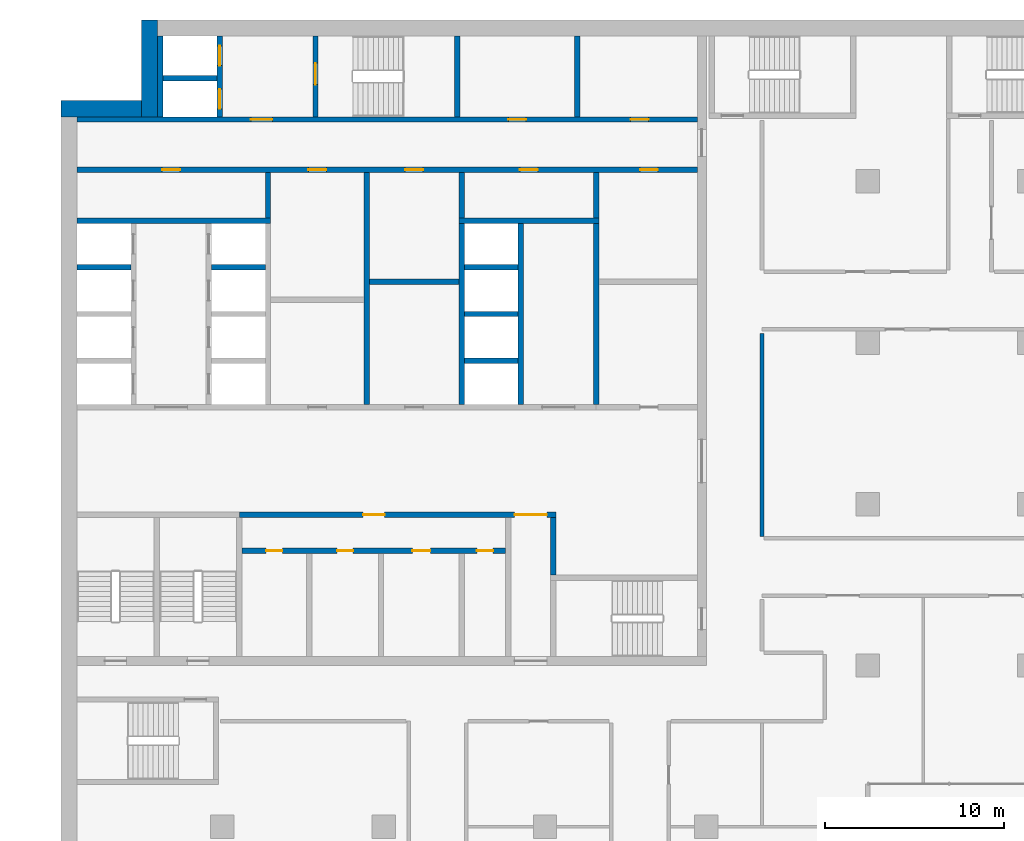
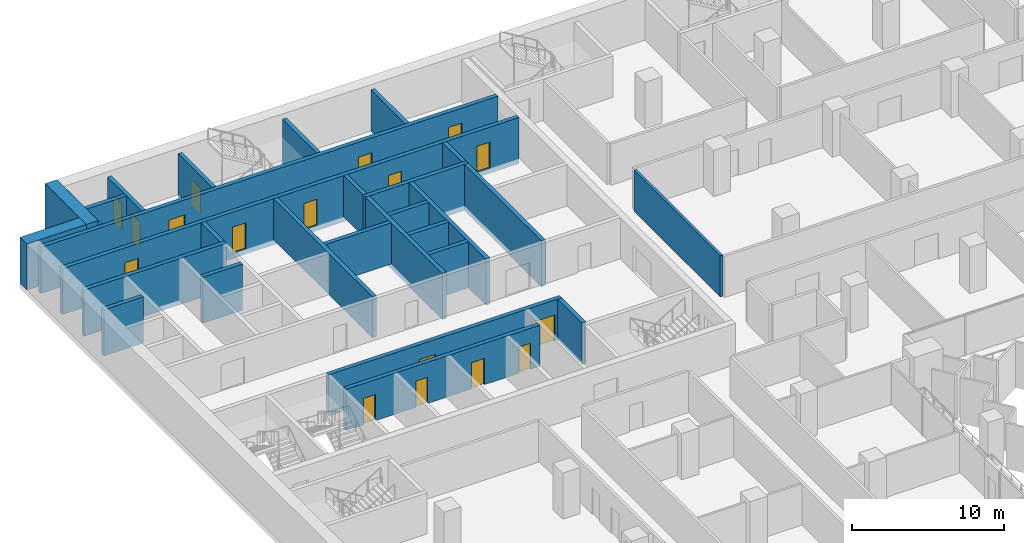
# One storey, part 13 of 22: 29 walls, 17 doors, 17 openings.
"""IFC4 building model written with IfcOpenShell, lengths in metres."""

from ifc_helpers import new_model, si_unit, direction, frame, frame_2d, origin, place, context, subcontext, project, spatial, rectangle, extrude, material, layer, layer_set, type_object, element, fill, save


model = new_model("IFC4")

# Units and contexts
model_context = context("Model", 3, precision=1e-05, world=origin(), true_north=direction((0.0, 1.0)))
body_context = subcontext(model_context, "Body", "Model", "MODEL_VIEW")
ifc_project = project(units=[si_unit("LENGTHUNIT", "METRE"), si_unit("AREAUNIT", "SQUARE_METRE"), si_unit("VOLUMEUNIT", "CUBIC_METRE"), si_unit("PLANEANGLEUNIT", "RADIAN"), si_unit("MASSUNIT", "GRAM", prefix="KILO")], contexts=[model_context])

# Site, building, storey
site_placement = place(None, origin())
site = spatial("IfcSite", under=ifc_project, at=site_placement, CompositionType="ELEMENT")
building_placement = place(site_placement, origin())
building = spatial("IfcBuilding", under=site, at=building_placement, Name="Hunhe Ridgeline Campus", CompositionType="ELEMENT")
storey_placement = place(building_placement, frame((0.0, 0.0, 92.199951171875)))
storey = spatial("IfcBuildingStorey", under=building, at=storey_placement, Name="L22", CompositionType="ELEMENT", Elevation=92.199951171875)

# Wall, openings, doors
ifc_material_1 = material(Name="Masonry concrete blockwork", Category="masonry")
ifc_layer_1 = layer(ifc_material_1, 0.300048828125)
ifc_layer_set_1 = layer_set([ifc_layer_1], Name="Core room partition 300 concrete block")
wall_type_1 = type_object("IfcWallType", Name="Core room partition 300 concrete block", PredefinedType="PARTITIONING", material=ifc_layer_set_1)
wall_1_placement = place(storey_placement, frame((10.10009765625, 69.39990234375, 0.0), z_axis=(0.0, 0.0, 1.0), x_axis=(1.0, 0.0, 0.0)))
wall_1 = element("IfcWall", 1, at=wall_1_placement, inside=storey, type_object=wall_type_1, Name="L22 core partition 9", PredefinedType="PARTITIONING", context=body_context, shape_type="SweptSolid", body=[
    extrude(rectangle(XDim=14.699951171875, YDim=0.300048828125, at=frame_2d((7.35009765625, 0.0))), origin(), (0.0, 0.0, 1.0), 3.300048828125),
])
opening_1_placement = place(wall_1_placement, frame((1.35009765625, 0.0, 0.0)))
opening_1 = element("IfcOpeningElement", 2, at=opening_1_placement, cuts=wall_1, Name="Opening CD8", PredefinedType="OPENING", context=body_context, shape_type="SweptSolid", body=[
    extrude(rectangle(XDim=0.89990234375, YDim=2.10009765625, at=frame_2d((0.449951171875, 1.050048828125))), frame((0.0, 0.14990234375, 0.0), z_axis=(0.0, -1.0, 0.0), x_axis=(1.0, 0.0, 0.0)), (0.0, 0.0, 1.0), 0.300048828125),
])
opening_2_placement = place(wall_1_placement, frame((5.300048828125, 0.0, 0.0)))
opening_2 = element("IfcOpeningElement", 3, at=opening_2_placement, cuts=wall_1, Name="Opening CD9", PredefinedType="OPENING", context=body_context, shape_type="SweptSolid", body=[
    extrude(rectangle(XDim=0.89990234375, YDim=2.10009765625, at=frame_2d((0.449951171875, 1.050048828125))), frame((0.0, 0.14990234375, 0.0), z_axis=(0.0, -1.0, 0.0), x_axis=(1.0, 0.0, 0.0)), (0.0, 0.0, 1.0), 0.300048828125),
])
opening_3_placement = place(wall_1_placement, frame((9.5, 0.0, 0.0)))
opening_3 = element("IfcOpeningElement", 4, at=opening_3_placement, cuts=wall_1, Name="Opening CD10", PredefinedType="OPENING", context=body_context, shape_type="SweptSolid", body=[
    extrude(rectangle(XDim=1.0, YDim=2.10009765625, at=frame_2d((0.5, 1.050048828125))), frame((0.0, 0.14990234375, 0.0), z_axis=(0.0, -1.0, 0.0), x_axis=(1.0, 0.0, 0.0)), (0.0, 0.0, 1.0), 0.300048828125),
])
opening_4_placement = place(wall_1_placement, frame((13.10009765625, 0.0, 0.0)))
opening_4 = element("IfcOpeningElement", 5, at=opening_4_placement, cuts=wall_1, Name="Opening CD11", PredefinedType="OPENING", context=body_context, shape_type="SweptSolid", body=[
    extrude(rectangle(XDim=0.89990234375, YDim=2.10009765625, at=frame_2d((0.449951171875, 1.050048828125))), frame((0.0, 0.14990234375, 0.0), z_axis=(0.0, -1.0, 0.0), x_axis=(1.0, 0.0, 0.0)), (0.0, 0.0, 1.0), 0.300048828125),
])
ifc_material_2 = material(Name="Solid core timber door leaf", Category="wood")
door_type_1 = type_object("IfcDoorType", Name="Timber door 1000x2100", OperationType="SINGLE_SWING_LEFT", PredefinedType="DOOR", material=ifc_material_2)
door_1_placement = place(opening_3_placement, frame((1.0, 0.0, 0.0), z_axis=(0.0, 0.0, 1.0), x_axis=(-1.0, 0.0, 0.0)))
door_1 = element("IfcDoor", 6, at=door_1_placement, inside=storey, type_object=door_type_1, Name="L22 door WC3", OperationType="SINGLE_SWING_RIGHT", OverallHeight=2.10009765625, OverallWidth=1.0, PredefinedType="DOOR", context=body_context, shape_type="SweptSolid", body=[
    extrude(rectangle(XDim=1.0, YDim=2.10009765625, at=frame_2d((0.5, 1.050048828125))), frame((0.0, 0.02490234375, 0.0), z_axis=(0.0, -1.0, 0.0), x_axis=(1.0, 0.0, 0.0)), (0.0, 0.0, 1.0), 0.050048828125),
])
fill(opening_3, door_1)
door_type_2 = type_object("IfcDoorType", Name="Timber door 900x2100", OperationType="SINGLE_SWING_LEFT", PredefinedType="DOOR", material=ifc_material_2)
door_2_placement = place(opening_1_placement, frame((0.89990234375, 0.0, 0.0), z_axis=(0.0, 0.0, 1.0), x_axis=(-1.0, 0.0, 0.0)))
door_2 = element("IfcDoor", 7, at=door_2_placement, inside=storey, type_object=door_type_2, Name="L22 door WC1", OperationType="SINGLE_SWING_RIGHT", OverallHeight=2.10009765625, OverallWidth=0.89990234375, PredefinedType="DOOR", context=body_context, shape_type="SweptSolid", body=[
    extrude(rectangle(XDim=0.89990234375, YDim=2.10009765625, at=frame_2d((0.449951171875, 1.050048828125))), frame((0.0, 0.02490234375, 0.0), z_axis=(0.0, -1.0, 0.0), x_axis=(1.0, 0.0, 0.0)), (0.0, 0.0, 1.0), 0.050048828125),
])
fill(opening_1, door_2)
door_3_placement = place(opening_2_placement, frame((0.89990234375, 0.0, 0.0), z_axis=(0.0, 0.0, 1.0), x_axis=(-1.0, 0.0, 0.0)))
door_3 = element("IfcDoor", 8, at=door_3_placement, inside=storey, type_object=door_type_2, Name="L22 door WC2", OperationType="SINGLE_SWING_LEFT", OverallHeight=2.10009765625, OverallWidth=0.89990234375, PredefinedType="DOOR", context=body_context, shape_type="SweptSolid", body=[
    extrude(rectangle(XDim=0.89990234375, YDim=2.10009765625, at=frame_2d((0.449951171875, 1.050048828125))), frame((0.0, 0.02490234375, 0.0), z_axis=(0.0, -1.0, 0.0), x_axis=(1.0, 0.0, 0.0)), (0.0, 0.0, 1.0), 0.050048828125),
])
fill(opening_2, door_3)
door_4_placement = place(opening_4_placement, frame((0.89990234375, 0.0, 0.0), z_axis=(0.0, 0.0, 1.0), x_axis=(-1.0, 0.0, 0.0)))
door_4 = element("IfcDoor", 9, at=door_4_placement, inside=storey, type_object=door_type_2, Name="L22 door WC4", OperationType="SINGLE_SWING_LEFT", OverallHeight=2.10009765625, OverallWidth=0.89990234375, PredefinedType="DOOR", context=body_context, shape_type="SweptSolid", body=[
    extrude(rectangle(XDim=0.89990234375, YDim=2.10009765625, at=frame_2d((0.449951171875, 1.050048828125))), frame((0.0, 0.02490234375, 0.0), z_axis=(0.0, -1.0, 0.0), x_axis=(1.0, 0.0, 0.0)), (0.0, 0.0, 1.0), 0.050048828125),
])
fill(opening_4, door_4)

wall_2_placement = place(storey_placement, frame((9.949951171875, 71.39990234375, 0.0), z_axis=(0.0, 0.0, 1.0), x_axis=(1.0, 0.0, 0.0)))
wall_2 = element("IfcWall", 10, at=wall_2_placement, inside=storey, type_object=wall_type_1, Name="L22 core partition 11", PredefinedType="PARTITIONING", context=body_context, shape_type="SweptSolid", body=[
    extrude(rectangle(XDim=17.650146484375, YDim=0.300048828125, at=frame_2d((8.8251953125, 0.0))), origin(), (0.0, 0.0, 1.0), 3.300048828125),
])
opening_5_placement = place(wall_2_placement, frame((15.35009765625, 0.0, 0.0)))
opening_5 = element("IfcOpeningElement", 11, at=opening_5_placement, cuts=wall_2, Name="Opening CD7", PredefinedType="OPENING", context=body_context, shape_type="SweptSolid", body=[
    extrude(rectangle(XDim=1.800048828125, YDim=2.10009765625, at=frame_2d((0.89990234375, 1.050048828125))), frame((0.0, 0.14990234375, 0.0), z_axis=(0.0, -1.0, 0.0), x_axis=(1.0, 0.0, 0.0)), (0.0, 0.0, 1.0), 0.300048828125),
])
opening_6_placement = place(wall_2_placement, frame((6.89990234375, 0.0, 0.0)))
opening_6 = element("IfcOpeningElement", 12, at=opening_6_placement, cuts=wall_2, Name="Opening CD37", PredefinedType="OPENING", context=body_context, shape_type="SweptSolid", body=[
    extrude(rectangle(XDim=1.199951171875, YDim=2.10009765625, at=frame_2d((0.60009765625, 1.050048828125))), frame((0.0, 0.14990234375, 0.0), z_axis=(0.0, -1.0, 0.0), x_axis=(1.0, 0.0, 0.0)), (0.0, 0.0, 1.0), 0.300048828125),
])
ifc_material_3 = material(Name="Anodised aluminium and glass", Category="aluminium")
door_type_3 = type_object("IfcDoorType", Name="Glazed double door 1800x2100", OperationType="DOUBLE_DOOR_SINGLE_SWING", PredefinedType="DOOR", material=ifc_material_3)
door_5_placement = place(opening_5_placement, origin())
door_5 = element("IfcDoor", 13, at=door_5_placement, inside=storey, type_object=door_type_3, Name="L22 door VEST-HALL", OperationType="DOUBLE_DOOR_SINGLE_SWING", OverallHeight=2.10009765625, OverallWidth=1.800048828125, PredefinedType="DOOR", context=body_context, shape_type="SweptSolid", body=[
    extrude(rectangle(XDim=1.800048828125, YDim=2.10009765625, at=frame_2d((0.89990234375, 1.050048828125))), frame((0.0, 0.02490234375, 0.0), z_axis=(0.0, -1.0, 0.0), x_axis=(1.0, 0.0, 0.0)), (0.0, 0.0, 1.0), 0.050048828125),
])
fill(opening_5, door_5)
door_type_4 = type_object("IfcDoorType", Name="Timber door 1200x2100", OperationType="SINGLE_SWING_LEFT", PredefinedType="DOOR", material=ifc_material_2)
door_6_placement = place(opening_6_placement, origin())
door_6 = element("IfcDoor", 14, at=door_6_placement, inside=storey, type_object=door_type_4, Name="L22 door WCL1-HALL", OperationType="SINGLE_SWING_LEFT", OverallHeight=2.10009765625, OverallWidth=1.199951171875, PredefinedType="DOOR", context=body_context, shape_type="SweptSolid", body=[
    extrude(rectangle(XDim=1.199951171875, YDim=2.10009765625, at=frame_2d((0.60009765625, 1.050048828125))), frame((0.0, 0.02490234375, 0.0), z_axis=(0.0, -1.0, 0.0), x_axis=(1.0, 0.0, 0.0)), (0.0, 0.0, 1.0), 0.050048828125),
])
fill(opening_6, door_6)

# Walls
wall_3_placement = place(storey_placement, frame((17.199951171875, 84.39990234375, 0.0), z_axis=(0.0, 0.0, 1.0), x_axis=(1.0, 0.0, 0.0)))
element("IfcWall", 15, at=wall_3_placement, inside=storey, type_object=wall_type_1, Name="L22 core partition 21", PredefinedType="PARTITIONING", context=body_context, shape_type="SweptSolid", body=[
    extrude(rectangle(XDim=5.0, YDim=0.300048828125, at=frame_2d((2.5, 0.0))), origin(), (0.0, 0.0, 1.0), 3.300048828125),
])
wall_4_placement = place(storey_placement, frame((11.550048828125, 87.949951171875, 0.0), z_axis=(0.0, 0.0, 1.0), x_axis=(0.0, 1.0, 0.0)))
element("IfcWall", 16, at=wall_4_placement, inside=storey, type_object=wall_type_1, Name="L22 core partition 43", PredefinedType="PARTITIONING", context=body_context, shape_type="SweptSolid", body=[
    extrude(rectangle(XDim=2.550048828125, YDim=0.300048828125, at=frame_2d((1.27490234375, 0.0))), origin(), (0.0, 0.0, 1.0), 3.300048828125),
])
wall_5_placement = place(storey_placement, frame((17.050048828125, 77.550048828125, 0.0), z_axis=(0.0, 0.0, 1.0), x_axis=(0.0, 1.0, 0.0)))
element("IfcWall", 17, at=wall_5_placement, inside=storey, type_object=wall_type_1, Name="L22 core partition 46", PredefinedType="PARTITIONING", context=body_context, shape_type="SweptSolid", body=[
    extrude(rectangle(XDim=12.949951171875, YDim=0.300048828125, at=frame_2d((6.47509765625, 0.0))), origin(), (0.0, 0.0, 1.0), 3.300048828125),
])
wall_6_placement = place(storey_placement, frame((22.35009765625, 87.949951171875, 0.0), z_axis=(0.0, 0.0, 1.0), x_axis=(0.0, 1.0, 0.0)))
element("IfcWall", 18, at=wall_6_placement, inside=storey, type_object=wall_type_1, Name="L22 core partition 52", PredefinedType="PARTITIONING", context=body_context, shape_type="SweptSolid", body=[
    extrude(rectangle(XDim=2.550048828125, YDim=0.300048828125, at=frame_2d((1.27490234375, 0.0))), origin(), (0.0, 0.0, 1.0), 3.300048828125),
])
wall_7_placement = place(storey_placement, frame((27.449951171875, 68.050048828125, 0.0), z_axis=(0.0, 0.0, 1.0), x_axis=(0.0, 1.0, 0.0)))
element("IfcWall", 19, at=wall_7_placement, inside=storey, type_object=wall_type_1, Name="L22 core partition 57", PredefinedType="PARTITIONING", context=body_context, shape_type="SweptSolid", body=[
    extrude(rectangle(XDim=3.199951171875, YDim=0.300048828125, at=frame_2d((1.60009765625, 0.0))), origin(), (0.0, 0.0, 1.0), 3.300048828125),
])
wall_8_placement = place(storey_placement, frame((28.800048828125, 93.60009765625, 0.0), z_axis=(0.0, 0.0, 1.0), x_axis=(0.0, 1.0, 0.0)))
element("IfcWall", 20, at=wall_8_placement, inside=storey, type_object=wall_type_1, Name="L22 core partition 58", PredefinedType="PARTITIONING", context=body_context, shape_type="SweptSolid", body=[
    extrude(rectangle(XDim=4.5, YDim=0.300048828125, at=frame_2d((2.25, 0.0))), origin(), (0.0, 0.0, 1.0), 3.300048828125),
])
wall_9_placement = place(storey_placement, frame((29.85009765625, 87.949951171875, 0.0), z_axis=(0.0, 0.0, 1.0), x_axis=(0.0, 1.0, 0.0)))
element("IfcWall", 21, at=wall_9_placement, inside=storey, type_object=wall_type_1, Name="L22 core partition 60", PredefinedType="PARTITIONING", context=body_context, shape_type="SweptSolid", body=[
    extrude(rectangle(XDim=2.550048828125, YDim=0.300048828125, at=frame_2d((1.27490234375, 0.0))), origin(), (0.0, 0.0, 1.0), 3.300048828125),
])
ifc_material_4 = material(Name="Gypsum board partition")
ifc_layer_2 = layer(ifc_material_4, 0.199951171875)
ifc_layer_set_2 = layer_set([ifc_layer_2], Name="Corridor partition 200 gypsum board on steel studs")
wall_type_2 = type_object("IfcWallType", Name="Corridor partition 200 gypsum board on steel studs", PredefinedType="PARTITIONING", material=ifc_layer_set_2)
wall_10_placement = place(storey_placement, frame((39.10009765625, 81.517578125, 0.0), z_axis=(0.0, 0.0, 1.0), x_axis=(0.0, -1.0, 0.0)))
element("IfcWall", 22, at=wall_10_placement, inside=storey, type_object=wall_type_2, Name="F-L22-wall-057", PredefinedType="PARTITIONING", context=body_context, shape_type="SweptSolid", body=[
    extrude(rectangle(XDim=11.317626953125, YDim=0.199951171875, at=frame_2d((5.65869140625, 0.0))), origin(), (0.0, 0.0, 1.0), 3.300048828125),
])

# Wall, openings, doors
ifc_material_5 = material(Name="Concrete C80", Category="concrete")
ifc_layer_3 = layer(ifc_material_5, 0.300048828125)
ifc_layer_set_3 = layer_set([ifc_layer_3], Name="Lobby wall 300 reinforced concrete C80")
wall_type_3 = type_object("IfcWallType", Name="Lobby wall 300 reinforced concrete C80", PredefinedType="SOLIDWALL", material=ifc_layer_set_3)
wall_11_placement = place(storey_placement, frame((0.89990234375, 90.64990234375, -0.39990234375), z_axis=(0.0, 0.0, 1.0), x_axis=(1.0, 0.0, 0.0)))
wall_11 = element("IfcWall", 23, at=wall_11_placement, inside=storey, type_object=wall_type_3, Name="L22 core wall 28", PredefinedType="SOLIDWALL", context=body_context, shape_type="SweptSolid", body=[
    extrude(rectangle(XDim=34.60009765625, YDim=0.300048828125, at=frame_2d((17.300048828125, 0.0))), origin(), (0.0, 0.0, 1.0), 3.699951171875),
])
opening_7_placement = place(wall_11_placement, frame((4.75, 0.0, 0.39990234375)))
opening_7 = element("IfcOpeningElement", 24, at=opening_7_placement, cuts=wall_11, Name="Opening CD26", PredefinedType="OPENING", context=body_context, shape_type="SweptSolid", body=[
    extrude(rectangle(XDim=1.0, YDim=2.10009765625, at=frame_2d((0.5, 1.050048828125))), frame((0.0, 0.14990234375, 0.0), z_axis=(0.0, -1.0, 0.0), x_axis=(1.0, 0.0, 0.0)), (0.0, 0.0, 1.0), 0.300048828125),
])
opening_8_placement = place(wall_11_placement, frame((24.699951171875, 0.0, 0.39990234375)))
opening_8 = element("IfcOpeningElement", 25, at=opening_8_placement, cuts=wall_11, Name="Opening CD27", PredefinedType="OPENING", context=body_context, shape_type="SweptSolid", body=[
    extrude(rectangle(XDim=1.0, YDim=2.10009765625, at=frame_2d((0.5, 1.050048828125))), frame((0.0, 0.14990234375, 0.0), z_axis=(0.0, -1.0, 0.0), x_axis=(1.0, 0.0, 0.0)), (0.0, 0.0, 1.0), 0.300048828125),
])
opening_9_placement = place(wall_11_placement, frame((12.89990234375, 0.0, 0.39990234375)))
opening_9 = element("IfcOpeningElement", 26, at=opening_9_placement, cuts=wall_11, Name="Opening CD29", PredefinedType="OPENING", context=body_context, shape_type="SweptSolid", body=[
    extrude(rectangle(XDim=1.0, YDim=2.10009765625, at=frame_2d((0.5, 1.050048828125))), frame((0.0, 0.14990234375, 0.0), z_axis=(0.0, -1.0, 0.0), x_axis=(1.0, 0.0, 0.0)), (0.0, 0.0, 1.0), 0.300048828125),
])
opening_10_placement = place(wall_11_placement, frame((18.300048828125, 0.0, 0.39990234375)))
opening_10 = element("IfcOpeningElement", 27, at=opening_10_placement, cuts=wall_11, Name="Opening CD31", PredefinedType="OPENING", context=body_context, shape_type="SweptSolid", body=[
    extrude(rectangle(XDim=1.0, YDim=2.10009765625, at=frame_2d((0.5, 1.050048828125))), frame((0.0, 0.14990234375, 0.0), z_axis=(0.0, -1.0, 0.0), x_axis=(1.0, 0.0, 0.0)), (0.0, 0.0, 1.0), 0.300048828125),
])
opening_11_placement = place(wall_11_placement, frame((31.39990234375, 0.0, 0.39990234375)))
opening_11 = element("IfcOpeningElement", 28, at=opening_11_placement, cuts=wall_11, Name="Opening CD33", PredefinedType="OPENING", context=body_context, shape_type="SweptSolid", body=[
    extrude(rectangle(XDim=1.0, YDim=2.10009765625, at=frame_2d((0.5, 1.050048828125))), frame((0.0, 0.14990234375, 0.0), z_axis=(0.0, -1.0, 0.0), x_axis=(1.0, 0.0, 0.0)), (0.0, 0.0, 1.0), 0.300048828125),
])
door_7_placement = place(opening_7_placement, frame((1.0, 0.0, 0.0), z_axis=(0.0, 0.0, 1.0), x_axis=(-1.0, 0.0, 0.0)))
door_7 = element("IfcDoor", 29, at=door_7_placement, inside=storey, type_object=door_type_1, Name="L22 door NR-0", OperationType="SINGLE_SWING_RIGHT", OverallHeight=2.10009765625, OverallWidth=1.0, PredefinedType="DOOR", context=body_context, shape_type="SweptSolid", body=[
    extrude(rectangle(XDim=1.0, YDim=2.10009765625, at=frame_2d((0.5, 1.050048828125))), frame((0.0, 0.02490234375, 0.0), z_axis=(0.0, -1.0, 0.0), x_axis=(1.0, 0.0, 0.0)), (0.0, 0.0, 1.0), 0.050048828125),
])
fill(opening_7, door_7)
door_8_placement = place(opening_8_placement, frame((1.0, 0.0, 0.0), z_axis=(0.0, 0.0, 1.0), x_axis=(-1.0, 0.0, 0.0)))
door_8 = element("IfcDoor", 30, at=door_8_placement, inside=storey, type_object=door_type_1, Name="L22 door NR-1", OperationType="SINGLE_SWING_LEFT", OverallHeight=2.10009765625, OverallWidth=1.0, PredefinedType="DOOR", context=body_context, shape_type="SweptSolid", body=[
    extrude(rectangle(XDim=1.0, YDim=2.10009765625, at=frame_2d((0.5, 1.050048828125))), frame((0.0, 0.02490234375, 0.0), z_axis=(0.0, -1.0, 0.0), x_axis=(1.0, 0.0, 0.0)), (0.0, 0.0, 1.0), 0.050048828125),
])
fill(opening_8, door_8)
door_9_placement = place(opening_9_placement, frame((1.0, 0.0, 0.0), z_axis=(0.0, 0.0, 1.0), x_axis=(-1.0, 0.0, 0.0)))
door_9 = element("IfcDoor", 31, at=door_9_placement, inside=storey, type_object=door_type_1, Name="L22 door VD-HR1", OperationType="SINGLE_SWING_LEFT", OverallHeight=2.10009765625, OverallWidth=1.0, PredefinedType="DOOR", context=body_context, shape_type="SweptSolid", body=[
    extrude(rectangle(XDim=1.0, YDim=2.10009765625, at=frame_2d((0.5, 1.050048828125))), frame((0.0, 0.02490234375, 0.0), z_axis=(0.0, -1.0, 0.0), x_axis=(1.0, 0.0, 0.0)), (0.0, 0.0, 1.0), 0.050048828125),
])
fill(opening_9, door_9)
door_10_placement = place(opening_10_placement, frame((1.0, 0.0, 0.0), z_axis=(0.0, 0.0, 1.0), x_axis=(-1.0, 0.0, 0.0)))
door_10 = element("IfcDoor", 32, at=door_10_placement, inside=storey, type_object=door_type_1, Name="L22 door VD-HR3", OperationType="SINGLE_SWING_LEFT", OverallHeight=2.10009765625, OverallWidth=1.0, PredefinedType="DOOR", context=body_context, shape_type="SweptSolid", body=[
    extrude(rectangle(XDim=1.0, YDim=2.10009765625, at=frame_2d((0.5, 1.050048828125))), frame((0.0, 0.02490234375, 0.0), z_axis=(0.0, -1.0, 0.0), x_axis=(1.0, 0.0, 0.0)), (0.0, 0.0, 1.0), 0.050048828125),
])
fill(opening_10, door_10)
door_11_placement = place(opening_11_placement, frame((1.0, 0.0, 0.0), z_axis=(0.0, 0.0, 1.0), x_axis=(-1.0, 0.0, 0.0)))
door_11 = element("IfcDoor", 33, at=door_11_placement, inside=storey, type_object=door_type_1, Name="L22 door ES1", OperationType="SINGLE_SWING_RIGHT", OverallHeight=2.10009765625, OverallWidth=1.0, PredefinedType="DOOR", context=body_context, shape_type="SweptSolid", body=[
    extrude(rectangle(XDim=1.0, YDim=2.10009765625, at=frame_2d((0.5, 1.050048828125))), frame((0.0, 0.02490234375, 0.0), z_axis=(0.0, -1.0, 0.0), x_axis=(1.0, 0.0, 0.0)), (0.0, 0.0, 1.0), 0.050048828125),
])
fill(opening_11, door_11)

# Walls
wall_12_placement = place(storey_placement, frame((29.85009765625, 77.550048828125, -0.39990234375), z_axis=(0.0, 0.0, 1.0), x_axis=(0.0, 1.0, 0.0)))
element("IfcWall", 34, at=wall_12_placement, inside=storey, type_object=wall_type_3, Name="L22 core wall 59", PredefinedType="SOLIDWALL", context=body_context, shape_type="SweptSolid", body=[
    extrude(rectangle(XDim=10.099853515625, YDim=0.300048828125, at=frame_2d((5.0498046875, 0.0))), origin(), (0.0, 0.0, 1.0), 3.699951171875),
])
ifc_layer_4 = layer(ifc_material_5, 0.300048828125)
ifc_layer_set_4 = layer_set([ifc_layer_4], Name="Shaft wall 300 reinforced concrete C80")
wall_type_4 = type_object("IfcWallType", Name="Shaft wall 300 reinforced concrete C80", PredefinedType="SOLIDWALL", material=ifc_layer_set_4)
for number, where, z_axis, x_axis, name in (
    (35, (22.5, 80.0, -0.39990234375), (0.0, 0.0, 1.0), (1.0, 0.0, 0.0), "L22 core wall 16"),
    (36, (22.5, 82.60009765625, -0.39990234375), (0.0, 0.0, 1.0), (1.0, 0.0, 0.0), "L22 core wall 19"),
    (37, (0.89990234375, 85.199951171875, -0.39990234375), (0.0, 0.0, 1.0), (1.0, 0.0, 0.0), "L22 core wall 23"),
    (38, (8.39990234375, 85.199951171875, -0.39990234375), (0.0, 0.0, 1.0), (1.0, 0.0, 0.0), "L22 core wall 24"),
    (39, (22.5, 85.199951171875, -0.39990234375), (0.0, 0.0, 1.0), (1.0, 0.0, 0.0), "L22 core wall 25"),
):
    element("IfcWall", number, at=place(storey_placement, frame(where, z_axis=z_axis, x_axis=x_axis)), inside=storey, type_object=wall_type_4, Name=name, PredefinedType="SOLIDWALL", context=body_context, shape_type="SweptSolid", body=[
        extrude(rectangle(XDim=3.0, YDim=0.300048828125, at=frame_2d((1.5, 0.0))), origin(), (0.0, 0.0, 1.0), 3.699951171875),
    ])
wall_13_placement = place(storey_placement, frame((0.89990234375, 87.800048828125, -0.39990234375), z_axis=(0.0, 0.0, 1.0), x_axis=(1.0, 0.0, 0.0)))
element("IfcWall", 40, at=wall_13_placement, inside=storey, type_object=wall_type_4, Name="L22 core wall 26", PredefinedType="SOLIDWALL", context=body_context, shape_type="SweptSolid", body=[
    extrude(rectangle(XDim=10.800048828125, YDim=0.300048828125, at=frame_2d((5.39990234375, 0.0))), origin(), (0.0, 0.0, 1.0), 3.699951171875),
])
wall_14_placement = place(storey_placement, frame((22.199951171875, 87.800048828125, -0.39990234375), z_axis=(0.0, 0.0, 1.0), x_axis=(1.0, 0.0, 0.0)))
element("IfcWall", 41, at=wall_14_placement, inside=storey, type_object=wall_type_4, Name="L22 core wall 27", PredefinedType="SOLIDWALL", context=body_context, shape_type="SweptSolid", body=[
    extrude(rectangle(XDim=7.800048828125, YDim=0.300048828125, at=frame_2d((3.89990234375, 0.0))), origin(), (0.0, 0.0, 1.0), 3.699951171875),
])

# Wall, openings, doors
wall_15_placement = place(storey_placement, frame((0.89990234375, 93.449951171875, -0.39990234375), z_axis=(0.0, 0.0, 1.0), x_axis=(1.0, 0.0, 0.0)))
wall_15 = element("IfcWall", 42, at=wall_15_placement, inside=storey, type_object=wall_type_4, Name="L22 core wall 29", PredefinedType="SOLIDWALL", context=body_context, shape_type="SweptSolid", body=[
    extrude(rectangle(XDim=34.60009765625, YDim=0.300048828125, at=frame_2d((17.300048828125, 0.0))), origin(), (0.0, 0.0, 1.0), 3.699951171875),
])
opening_12_placement = place(wall_15_placement, frame((9.699951171875, 0.0, 0.39990234375)))
opening_12 = element("IfcOpeningElement", 43, at=opening_12_placement, cuts=wall_15, Name="Opening CD3", PredefinedType="OPENING", context=body_context, shape_type="SweptSolid", body=[
    extrude(rectangle(XDim=1.199951171875, YDim=2.10009765625, at=frame_2d((0.60009765625, 1.050048828125))), frame((0.0, 0.14990234375, 0.0), z_axis=(0.0, -1.0, 0.0), x_axis=(1.0, 0.0, 0.0)), (0.0, 0.0, 1.0), 0.300048828125),
])
opening_13_placement = place(wall_15_placement, frame((24.050048828125, 0.0, 0.39990234375)))
opening_13 = element("IfcOpeningElement", 44, at=opening_13_placement, cuts=wall_15, Name="Opening CD34", PredefinedType="OPENING", context=body_context, shape_type="SweptSolid", body=[
    extrude(rectangle(XDim=1.0, YDim=2.10009765625, at=frame_2d((0.5, 1.050048828125))), frame((0.0, 0.14990234375, 0.0), z_axis=(0.0, -1.0, 0.0), x_axis=(1.0, 0.0, 0.0)), (0.0, 0.0, 1.0), 0.300048828125),
])
opening_14_placement = place(wall_15_placement, frame((30.875, 0.0, 0.39990234375)))
opening_14 = element("IfcOpeningElement", 45, at=opening_14_placement, cuts=wall_15, Name="Opening CD35", PredefinedType="OPENING", context=body_context, shape_type="SweptSolid", body=[
    extrude(rectangle(XDim=1.0, YDim=2.10009765625, at=frame_2d((0.5, 1.050048828125))), frame((0.0, 0.14990234375, 0.0), z_axis=(0.0, -1.0, 0.0), x_axis=(1.0, 0.0, 0.0)), (0.0, 0.0, 1.0), 0.300048828125),
])
ifc_material_6 = material(Name="Hollow metal fire door leaf")
door_type_5 = type_object("IfcDoorType", Name="Lobby door 1200x2100 FD60", OperationType="SINGLE_SWING_LEFT", PredefinedType="DOOR", material=ifc_material_6)
door_12_placement = place(opening_12_placement, frame((1.199951171875, 0.0, 0.0), z_axis=(0.0, 0.0, 1.0), x_axis=(-1.0, 0.0, 0.0)))
door_12 = element("IfcDoor", 46, at=door_12_placement, inside=storey, type_object=door_type_5, Name="L22 door FF-C1", OperationType="SINGLE_SWING_LEFT", OverallHeight=2.10009765625, OverallWidth=1.199951171875, PredefinedType="DOOR", context=body_context, shape_type="SweptSolid", body=[
    extrude(rectangle(XDim=1.199951171875, YDim=2.10009765625, at=frame_2d((0.60009765625, 1.050048828125))), frame((0.0, 0.02490234375, 0.0), z_axis=(0.0, -1.0, 0.0), x_axis=(1.0, 0.0, 0.0)), (0.0, 0.0, 1.0), 0.050048828125),
])
fill(opening_12, door_12)
door_13_placement = place(opening_13_placement, origin())
door_13 = element("IfcDoor", 47, at=door_13_placement, inside=storey, type_object=door_type_1, Name="L22 door NB0", OperationType="SINGLE_SWING_RIGHT", OverallHeight=2.10009765625, OverallWidth=1.0, PredefinedType="DOOR", context=body_context, shape_type="SweptSolid", body=[
    extrude(rectangle(XDim=1.0, YDim=2.10009765625, at=frame_2d((0.5, 1.050048828125))), frame((0.0, 0.02490234375, 0.0), z_axis=(0.0, -1.0, 0.0), x_axis=(1.0, 0.0, 0.0)), (0.0, 0.0, 1.0), 0.050048828125),
])
fill(opening_13, door_13)
door_14_placement = place(opening_14_placement, origin())
door_14 = element("IfcDoor", 48, at=door_14_placement, inside=storey, type_object=door_type_1, Name="L22 door NB1", OperationType="SINGLE_SWING_LEFT", OverallHeight=2.10009765625, OverallWidth=1.0, PredefinedType="DOOR", context=body_context, shape_type="SweptSolid", body=[
    extrude(rectangle(XDim=1.0, YDim=2.10009765625, at=frame_2d((0.5, 1.050048828125))), frame((0.0, 0.02490234375, 0.0), z_axis=(0.0, -1.0, 0.0), x_axis=(1.0, 0.0, 0.0)), (0.0, 0.0, 1.0), 0.050048828125),
])
fill(opening_14, door_14)

# Walls
wall_16_placement = place(storey_placement, frame((5.699951171875, 95.75, -0.39990234375), z_axis=(0.0, 0.0, 1.0), x_axis=(1.0, 0.0, 0.0)))
element("IfcWall", 49, at=wall_16_placement, inside=storey, type_object=wall_type_4, Name="L22 core wall 33", PredefinedType="SOLIDWALL", context=body_context, shape_type="SweptSolid", body=[
    extrude(rectangle(XDim=3.0, YDim=0.300048828125, at=frame_2d((1.5, 0.0))), origin(), (0.0, 0.0, 1.0), 3.699951171875),
])
wall_17_placement = place(storey_placement, frame((5.550048828125, 93.60009765625, -0.39990234375), z_axis=(0.0, 0.0, 1.0), x_axis=(0.0, 1.0, 0.0)))
element("IfcWall", 50, at=wall_17_placement, inside=storey, type_object=wall_type_4, Name="L22 core wall 36", PredefinedType="SOLIDWALL", context=body_context, shape_type="SweptSolid", body=[
    extrude(rectangle(XDim=4.5, YDim=0.300048828125, at=frame_2d((2.25, 0.0))), origin(), (0.0, 0.0, 1.0), 3.699951171875),
])

# Wall, openings, doors
wall_18_placement = place(storey_placement, frame((8.85009765625, 93.60009765625, -0.39990234375), z_axis=(0.0, 0.0, 1.0), x_axis=(0.0, 1.0, 0.0)))
wall_18 = element("IfcWall", 51, at=wall_18_placement, inside=storey, type_object=wall_type_4, Name="L22 core wall 40", PredefinedType="SOLIDWALL", context=body_context, shape_type="SweptSolid", body=[
    extrude(rectangle(XDim=4.5, YDim=0.300048828125, at=frame_2d((2.25, 0.0))), origin(), (0.0, 0.0, 1.0), 3.699951171875),
])
opening_15_placement = place(wall_18_placement, frame((0.449951171875, 0.0, 0.39990234375)))
opening_15 = element("IfcOpeningElement", 52, at=opening_15_placement, cuts=wall_18, Name="Opening LD-FF1", PredefinedType="OPENING", context=body_context, shape_type="SweptSolid", body=[
    extrude(rectangle(XDim=1.10009765625, YDim=2.10009765625, at=frame_2d((0.550048828125, 1.050048828125))), frame((0.0, 0.14990234375, 0.0), z_axis=(0.0, -1.0, 0.0), x_axis=(1.0, 0.0, 0.0)), (0.0, 0.0, 1.0), 0.300048828125),
])
opening_16_placement = place(wall_18_placement, frame((2.85009765625, 0.0, 0.39990234375)))
opening_16 = element("IfcOpeningElement", 53, at=opening_16_placement, cuts=wall_18, Name="Opening LD-FF2", PredefinedType="OPENING", context=body_context, shape_type="SweptSolid", body=[
    extrude(rectangle(XDim=1.10009765625, YDim=2.10009765625, at=frame_2d((0.550048828125, 1.050048828125))), frame((0.0, 0.14990234375, 0.0), z_axis=(0.0, -1.0, 0.0), x_axis=(1.0, 0.0, 0.0)), (0.0, 0.0, 1.0), 0.300048828125),
])
ifc_material_7 = material(Name="Stainless steel sliding leaves", Category="steel")
door_type_6 = type_object("IfcDoorType", Name="Landing door 1100x2100 FD120", OperationType="SLIDING_TO_LEFT", PredefinedType="DOOR", material=ifc_material_7)
door_15_placement = place(opening_15_placement, origin())
door_15 = element("IfcDoor", 54, at=door_15_placement, inside=storey, type_object=door_type_6, Name="L22 landing door FF1", OperationType="SLIDING_TO_RIGHT", OverallHeight=2.10009765625, OverallWidth=1.10009765625, PredefinedType="DOOR", context=body_context, shape_type="SweptSolid", body=[
    extrude(rectangle(XDim=1.10009765625, YDim=2.10009765625, at=frame_2d((0.550048828125, 1.050048828125))), frame((0.0, 0.02490234375, 0.0), z_axis=(0.0, -1.0, 0.0), x_axis=(1.0, 0.0, 0.0)), (0.0, 0.0, 1.0), 0.050048828125),
])
fill(opening_15, door_15)
door_16_placement = place(opening_16_placement, origin())
door_16 = element("IfcDoor", 55, at=door_16_placement, inside=storey, type_object=door_type_6, Name="L22 landing door FF2", OperationType="SLIDING_TO_LEFT", OverallHeight=2.10009765625, OverallWidth=1.10009765625, PredefinedType="DOOR", context=body_context, shape_type="SweptSolid", body=[
    extrude(rectangle(XDim=1.10009765625, YDim=2.10009765625, at=frame_2d((0.550048828125, 1.050048828125))), frame((0.0, 0.02490234375, 0.0), z_axis=(0.0, -1.0, 0.0), x_axis=(1.0, 0.0, 0.0)), (0.0, 0.0, 1.0), 0.050048828125),
])
fill(opening_16, door_16)

# Walls
for number, where, z_axis, x_axis, name in (
    (56, (22.35009765625, 77.550048828125, -0.39990234375), (0.0, 0.0, 1.0), (0.0, 1.0, 0.0), "L22 core wall 51"),
    (57, (25.64990234375, 77.550048828125, -0.39990234375), (0.0, 0.0, 1.0), (0.0, 1.0, 0.0), "L22 core wall 55"),
):
    element("IfcWall", number, at=place(storey_placement, frame(where, z_axis=z_axis, x_axis=x_axis)), inside=storey, type_object=wall_type_4, Name=name, PredefinedType="SOLIDWALL", context=body_context, shape_type="SweptSolid", body=[
        extrude(rectangle(XDim=10.099853515625, YDim=0.300048828125, at=frame_2d((5.0498046875, 0.0))), origin(), (0.0, 0.0, 1.0), 3.699951171875),
    ])
ifc_material_8 = material(Name="Concrete C70", Category="concrete")
ifc_layer_5 = layer(ifc_material_8, 0.89990234375)
ifc_layer_set_5 = layer_set([ifc_layer_5], Name="Spine wall 900 Concrete C70")
wall_type_5 = type_object("IfcWallType", Name="Spine wall 900 Concrete C70", PredefinedType="SHEAR", material=ifc_layer_set_5)
for number, where, z_axis, x_axis, name in (
    (58, (4.949951171875, 99.0, 0.0), (0.0, 0.0, 1.0), (0.0, -1.0, 0.0), "Spine wall SW2-5 L22"),
    (59, (5.400146484375, 94.050048828125, 0.0), (0.0, 0.0, 1.0), (-1.0, 0.0, 0.0), "Spine wall SW2-6 L22"),
):
    element("IfcWall", number, at=place(storey_placement, frame(where, z_axis=z_axis, x_axis=x_axis)), inside=storey, type_object=wall_type_5, Name=name, PredefinedType="SHEAR", context=body_context, shape_type="SweptSolid", body=[
        extrude(rectangle(XDim=5.400146484375, YDim=0.89990234375, at=frame_2d((2.7001953125, 0.0))), origin(), (0.0, 0.0, 1.0), 3.699951171875),
    ])

# Wall, opening, door
ifc_layer_6 = layer(ifc_material_5, 0.300048828125)
ifc_layer_set_6 = layer_set([ifc_layer_6], Name="Stair wall 300 reinforced concrete C80")
wall_type_6 = type_object("IfcWallType", Name="Stair wall 300 reinforced concrete C80", PredefinedType="SOLIDWALL", material=ifc_layer_set_6)
wall_19_placement = place(storey_placement, frame((14.199951171875, 93.60009765625, -0.39990234375), z_axis=(0.0, 0.0, 1.0), x_axis=(0.0, 1.0, 0.0)))
wall_19 = element("IfcWall", 60, at=wall_19_placement, inside=storey, type_object=wall_type_6, Name="L22 core wall 45", PredefinedType="SOLIDWALL", context=body_context, shape_type="SweptSolid", body=[
    extrude(rectangle(XDim=4.5, YDim=0.300048828125, at=frame_2d((2.25, 0.0))), origin(), (0.0, 0.0, 1.0), 3.699951171875),
])
opening_17_placement = place(wall_19_placement, frame((1.800048828125, 0.0, 0.39990234375)))
opening_17 = element("IfcOpeningElement", 61, at=opening_17_placement, cuts=wall_19, Name="Opening CD16", PredefinedType="OPENING", context=body_context, shape_type="SweptSolid", body=[
    extrude(rectangle(XDim=1.199951171875, YDim=2.10009765625, at=frame_2d((0.60009765625, 1.050048828125))), frame((0.0, 0.14990234375, 0.0), z_axis=(0.0, -1.0, 0.0), x_axis=(1.0, 0.0, 0.0)), (0.0, 0.0, 1.0), 0.300048828125),
])
door_type_7 = type_object("IfcDoorType", Name="Stair door 1200x2100 FD60", OperationType="SINGLE_SWING_LEFT", PredefinedType="DOOR", material=ifc_material_6)
door_17_placement = place(opening_17_placement, origin())
door_17 = element("IfcDoor", 62, at=door_17_placement, inside=storey, type_object=door_type_7, Name="L22 door S1-FF", OperationType="SINGLE_SWING_LEFT", OverallHeight=2.10009765625, OverallWidth=1.199951171875, PredefinedType="DOOR", context=body_context, shape_type="SweptSolid", body=[
    extrude(rectangle(XDim=1.199951171875, YDim=2.10009765625, at=frame_2d((0.60009765625, 1.050048828125))), frame((0.0, 0.02490234375, 0.0), z_axis=(0.0, -1.0, 0.0), x_axis=(1.0, 0.0, 0.0)), (0.0, 0.0, 1.0), 0.050048828125),
])
fill(opening_17, door_17)

# Wall
wall_20_placement = place(storey_placement, frame((22.10009765625, 93.60009765625, -0.39990234375), z_axis=(0.0, 0.0, 1.0), x_axis=(0.0, 1.0, 0.0)))
element("IfcWall", 63, at=wall_20_placement, inside=storey, type_object=wall_type_6, Name="L22 core wall 49", PredefinedType="SOLIDWALL", context=body_context, shape_type="SweptSolid", body=[
    extrude(rectangle(XDim=4.5, YDim=0.300048828125, at=frame_2d((2.25, 0.0))), origin(), (0.0, 0.0, 1.0), 3.699951171875),
])

save(model, "model.ifc")
